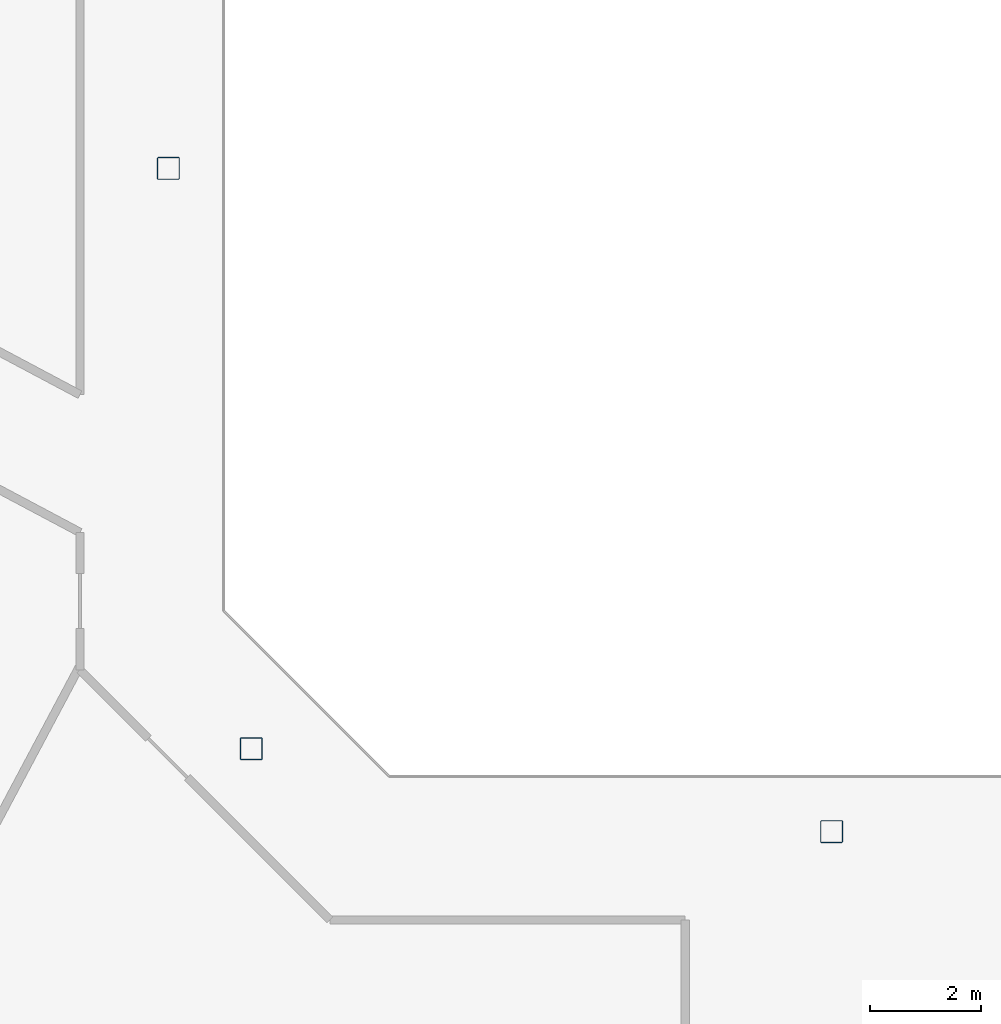
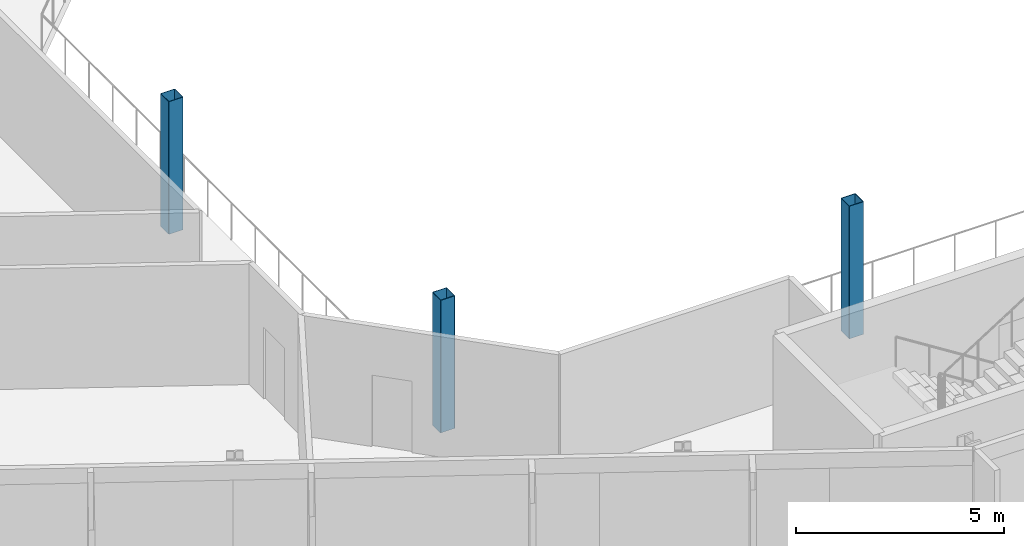
# One storey, part 2 of 26: 3 columns.
"""IFC4 building model written with IfcOpenShell, lengths in metres."""

from ifc_helpers import new_model, si_unit, direction, frame, origin, origin_2d, place, context, subcontext, project, spatial, hollow_rectangle, extrude, material, material_profile, profile_set, type_object, element, save


model = new_model("IFC4")

# Units and contexts
model_context = context("Model", 3, precision=1e-05, world=origin(), true_north=direction((0.0, 1.0)))
body_context = subcontext(model_context, "Body", "Model", "MODEL_VIEW")
ifc_project = project(units=[si_unit("LENGTHUNIT", "METRE"), si_unit("AREAUNIT", "SQUARE_METRE"), si_unit("VOLUMEUNIT", "CUBIC_METRE"), si_unit("PLANEANGLEUNIT", "RADIAN"), si_unit("MASSUNIT", "GRAM", prefix="KILO")], contexts=[model_context])

# Site, building, storey
site_placement = place(None, origin())
site = spatial("IfcSite", under=ifc_project, at=site_placement, CompositionType="ELEMENT")
building_placement = place(site_placement, origin())
building = spatial("IfcBuilding", under=site, at=building_placement, Name="Cormorant Relay Tower", CompositionType="ELEMENT")
storey_placement = place(building_placement, frame((0.0, 0.0, 228.60009765625)))
storey = spatial("IfcBuildingStorey", under=building, at=storey_placement, Name="L50", CompositionType="ELEMENT", Elevation=228.60009765625)

# Columns
ifc_material = material(Name="Steel ASTM A500 Grade C (Fy 345 MPa)", Category="steel")
ifc_material_profile = material_profile(ifc_material, hollow_rectangle(XDim=0.406494140625, YDim=0.406494140625, WallThickness=0.0146484375, InnerFilletRadius=0.00732421875, OuterFilletRadius=0.022216796875, at=origin_2d()), Name="HSS406x406x15")
ifc_profile_set = profile_set([ifc_material_profile], Name="Steel ASTM A500 Grade C (Fy 345 MPa)")
column_type = type_object("IfcColumnType", Name="Column HSS406x406x15", PredefinedType="COLUMN", material=ifc_profile_set)
for number, where, z_axis, x_axis, name in (
    (1, (0.0, -12.0, 0.0), (0.0, 0.0, 1.0), (1.0, 0.0, 0.0), "Column L50-007"),
    (2, (-10.5, -10.5, 0.0), (0.0, 0.0, 1.0), (1.0, 0.0, 0.0), "Column L50-009"),
    (3, (-12.0, 0.0, 0.0), (0.0, 0.0, 1.0), (1.0, 0.0, 0.0), "Column L50-015"),
):
    element("IfcColumn", number, at=place(storey_placement, frame(where, z_axis=z_axis, x_axis=x_axis)), inside=storey, type_object=column_type, Name=name, PredefinedType="COLUMN", context=body_context, shape_type="SweptSolid", body=[
        extrude(hollow_rectangle(XDim=0.406494140625, YDim=0.406494140625, WallThickness=0.0146484375, InnerFilletRadius=0.00732421875, OuterFilletRadius=0.022216796875, at=origin_2d()), origin(), (0.0, 0.0, 1.0), 3.89990234375),
    ])

save(model, "model.ifc")
